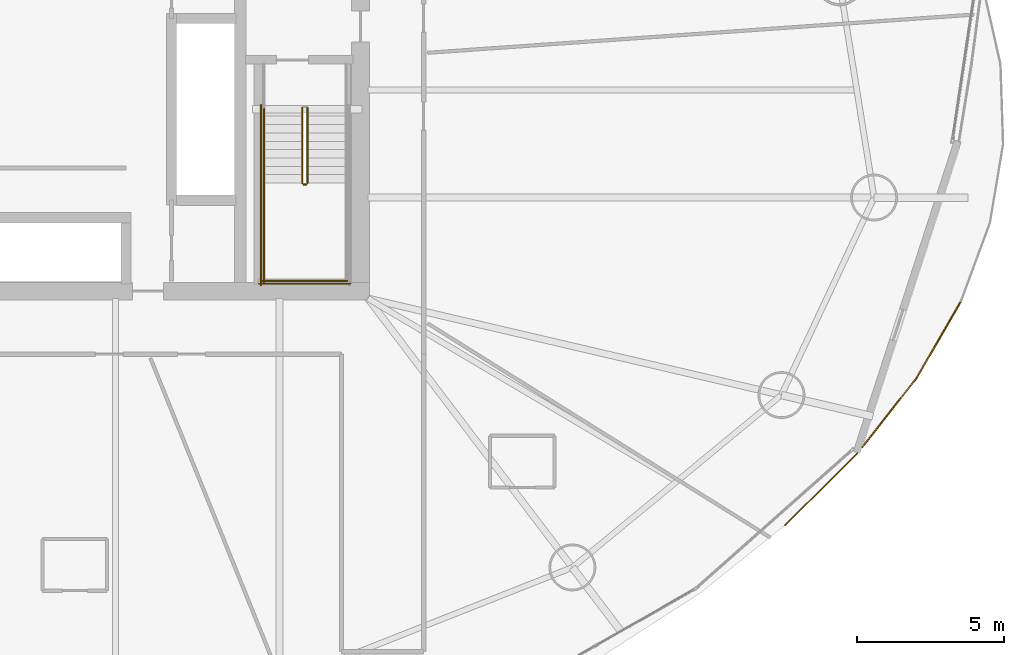
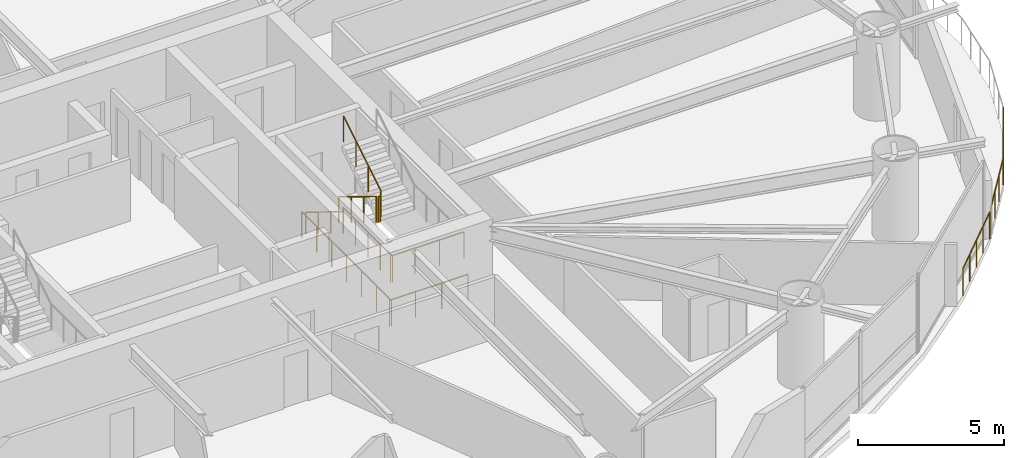
# One storey, part 24 of 26: 11 railings.
"""IFC4 building model written with IfcOpenShell, lengths in metres."""

from ifc_helpers import new_model, si_unit, direction, frame, origin, origin_2d, place, context, subcontext, project, spatial, circle, extrude, material, type_object, element, save


model = new_model("IFC4")

# Units and contexts
model_context = context("Model", 3, precision=1e-05, world=origin(), true_north=direction((0.0, 1.0)))
body_context = subcontext(model_context, "Body", "Model", "MODEL_VIEW")
ifc_project = project(units=[si_unit("LENGTHUNIT", "METRE"), si_unit("AREAUNIT", "SQUARE_METRE"), si_unit("VOLUMEUNIT", "CUBIC_METRE"), si_unit("PLANEANGLEUNIT", "RADIAN"), si_unit("MASSUNIT", "GRAM", prefix="KILO")], contexts=[model_context])

# Site, building, storey
site_placement = place(None, origin())
site = spatial("IfcSite", under=ifc_project, at=site_placement, CompositionType="ELEMENT")
building_placement = place(site_placement, origin())
building = spatial("IfcBuilding", under=site, at=building_placement, Name="Bramvorn Convention Spire", CompositionType="ELEMENT")
storey_placement = place(building_placement, frame((0.0, 0.0, 51.89990234375)))
storey = spatial("IfcBuildingStorey", under=building, at=storey_placement, Name="L10", CompositionType="ELEMENT", Elevation=51.89990234375)

# Railings
ifc_material_1 = material(Name="Painted Steel Balustrade & Guardrail", Category="steel")
railing_type_1 = type_object("IfcRailingType", Name="RL-STAIR-GUARD-1100", PredefinedType="GUARDRAIL", material=ifc_material_1)
railing_1_placement = place(storey_placement, frame((47.010009765625, 25.050048828125, 0.175048828125)))
element("IfcRailing", 1, at=railing_1_placement, inside=storey, type_object=railing_type_1, Name="L10 ST2 stair guard 1", PredefinedType="GUARDRAIL", context=body_context, shape_type="SweptSolid", body=[
    extrude(circle(Radius=0.02392578125, at=origin_2d()), frame((0.0, 0.0, 1.076171875), z_axis=(0.0, -0.852173129349, 0.523259933127), x_axis=(1.0, 0.0, 0.0)), (0.0, 0.0, 1.0), 3.009765625),
    extrude(circle(Radius=0.02099609375, at=origin_2d()), origin(), (0.0, 0.0, 1.0), 1.052001953125),
    extrude(circle(Radius=0.02099609375, at=origin_2d()), frame((0.0, -0.85498046875, 0.52490234375)), (0.0, 0.0, 1.0), 1.052001953125),
    extrude(circle(Radius=0.02099609375, at=origin_2d()), frame((0.0, -1.7099609375, 1.050048828125)), (0.0, 0.0, 1.0), 1.052001953125),
    extrude(circle(Radius=0.02099609375, at=origin_2d()), frame((0.0, -2.56494140625, 1.574951171875)), (0.0, 0.0, 1.0), 1.052001953125),
])
railing_2_placement = place(storey_placement, frame((47.06005859375, 22.43505859375, 1.75)))
element("IfcRailing", 2, at=railing_2_placement, inside=storey, type_object=railing_type_1, Name="L10 ST2 stair guard 2", PredefinedType="GUARDRAIL", context=body_context, shape_type="SweptSolid", body=[
    extrude(circle(Radius=0.02392578125, at=origin_2d()), frame((0.0, 0.0, 1.076171875), z_axis=(1.0, 0.0, 0.0), x_axis=(0.0, 1.0, 0.0)), (0.0, 0.0, 1.0), 0.079833984375),
    extrude(circle(Radius=0.02099609375, at=origin_2d()), origin(), (0.0, 0.0, 1.0), 1.052001953125),
    extrude(circle(Radius=0.02099609375, at=origin_2d()), frame((0.079833984375, 0.0, 0.0)), (0.0, 0.0, 1.0), 1.052001953125),
])
railing_3_placement = place(storey_placement, frame((45.699951171875, 22.485107421875, 1.75)))
element("IfcRailing", 3, at=railing_3_placement, inside=storey, type_object=railing_type_1, Name="L10 ST2 stair guard 3", PredefinedType="GUARDRAIL", context=body_context, shape_type="SweptSolid", body=[
    extrude(circle(Radius=0.02392578125, at=origin_2d()), frame((0.0, 0.0, 1.076171875), z_axis=(0.0, -1.0, 0.0), x_axis=(1.0, 0.0, 0.0)), (0.0, 0.0, 1.0), 3.385009765625),
    extrude(circle(Radius=0.02099609375, at=origin_2d()), origin(), (0.0, 0.0, 1.0), 1.052001953125),
    extrude(circle(Radius=0.02099609375, at=origin_2d()), frame((0.0, -0.84619140625, 0.0)), (0.0, 0.0, 1.0), 1.052001953125),
    extrude(circle(Radius=0.02099609375, at=origin_2d()), frame((0.0, -1.6923828125, 0.0)), (0.0, 0.0, 1.0), 1.052001953125),
    extrude(circle(Radius=0.02099609375, at=origin_2d()), frame((0.0, -2.538818359375, 0.0)), (0.0, 0.0, 1.0), 1.052001953125),
    extrude(circle(Radius=0.02099609375, at=origin_2d()), frame((0.0, -3.385009765625, 0.0)), (0.0, 0.0, 1.0), 1.052001953125),
])
railing_4_placement = place(storey_placement, frame((45.64990234375, 19.14990234375, 1.75)))
element("IfcRailing", 4, at=railing_4_placement, inside=storey, type_object=railing_type_1, Name="L10 ST2 stair guard 5", PredefinedType="GUARDRAIL", context=body_context, shape_type="SweptSolid", body=[
    extrude(circle(Radius=0.02392578125, at=origin_2d()), frame((0.0, 0.0, 1.076171875), z_axis=(1.0, 0.0, 0.0), x_axis=(0.0, 1.0, 0.0)), (0.0, 0.0, 1.0), 2.900146484375),
    extrude(circle(Radius=0.02099609375, at=origin_2d()), origin(), (0.0, 0.0, 1.0), 1.052001953125),
    extrude(circle(Radius=0.02099609375, at=origin_2d()), frame((0.966796875, 0.0, 0.0)), (0.0, 0.0, 1.0), 1.052001953125),
    extrude(circle(Radius=0.02099609375, at=origin_2d()), frame((1.933349609375, 0.0, 0.0)), (0.0, 0.0, 1.0), 1.052001953125),
    extrude(circle(Radius=0.02099609375, at=origin_2d()), frame((2.900146484375, 0.0, 0.0)), (0.0, 0.0, 1.0), 1.052001953125),
])
railing_5_placement = place(storey_placement, frame((47.18994140625, 22.485107421875, 1.925048828125)))
element("IfcRailing", 5, at=railing_5_placement, inside=storey, type_object=railing_type_1, Name="L10 ST2 stair guard 6", PredefinedType="GUARDRAIL", context=body_context, shape_type="SweptSolid", body=[
    extrude(circle(Radius=0.02392578125, at=origin_2d()), frame((0.0, 0.0, 1.076171875), z_axis=(0.0, 0.852173129349, 0.523259933127), x_axis=(-1.0, 0.0, 0.0)), (0.0, 0.0, 1.0), 3.009765625),
    extrude(circle(Radius=0.02099609375, at=origin_2d()), origin(), (0.0, 0.0, 1.0), 1.052001953125),
    extrude(circle(Radius=0.02099609375, at=origin_2d()), frame((0.0, 0.85498046875, 0.52490234375)), (0.0, 0.0, 1.0), 1.052001953125),
    extrude(circle(Radius=0.02099609375, at=origin_2d()), frame((0.0, 1.7099609375, 1.050048828125)), (0.0, 0.0, 1.0), 1.052001953125),
    extrude(circle(Radius=0.02099609375, at=origin_2d()), frame((0.0, 2.56494140625, 1.574951171875)), (0.0, 0.0, 1.0), 1.052001953125),
])
railing_6_placement = place(storey_placement, frame((45.60009765625, 25.14990234375, 0.0)))
element("IfcRailing", 6, at=railing_6_placement, inside=storey, type_object=railing_type_1, Name="L10 ST2 stair guard 10", PredefinedType="GUARDRAIL", context=body_context, shape_type="SweptSolid", body=[
    extrude(circle(Radius=0.02392578125, at=origin_2d()), frame((0.0, 0.0, 1.076171875), z_axis=(0.0, -1.0, 0.0), x_axis=(1.0, 0.0, 0.0)), (0.0, 0.0, 1.0), 6.14990234375),
    extrude(circle(Radius=0.02099609375, at=origin_2d()), origin(), (0.0, 0.0, 1.0), 1.052001953125),
    extrude(circle(Radius=0.02099609375, at=origin_2d()), frame((0.0, -1.02490234375, 0.0)), (0.0, 0.0, 1.0), 1.052001953125),
    extrude(circle(Radius=0.02099609375, at=origin_2d()), frame((0.0, -2.050048828125, 0.0)), (0.0, 0.0, 1.0), 1.052001953125),
    extrude(circle(Radius=0.02099609375, at=origin_2d()), frame((0.0, -3.074951171875, 0.0)), (0.0, 0.0, 1.0), 1.052001953125),
    extrude(circle(Radius=0.02099609375, at=origin_2d()), frame((0.0, -4.099853515625, 0.0)), (0.0, 0.0, 1.0), 1.052001953125),
    extrude(circle(Radius=0.02099609375, at=origin_2d()), frame((0.0, -5.125, 0.0)), (0.0, 0.0, 1.0), 1.052001953125),
    extrude(circle(Radius=0.02099609375, at=origin_2d()), frame((0.0, -6.14990234375, 0.0)), (0.0, 0.0, 1.0), 1.052001953125),
])
railing_7_placement = place(storey_placement, frame((45.550048828125, 19.050048828125, 0.0)))
element("IfcRailing", 7, at=railing_7_placement, inside=storey, type_object=railing_type_1, Name="L10 ST2 stair guard 12", PredefinedType="GUARDRAIL", context=body_context, shape_type="SweptSolid", body=[
    extrude(circle(Radius=0.02392578125, at=origin_2d()), frame((0.0, 0.0, 1.076171875), z_axis=(1.0, 0.0, 0.0), x_axis=(0.0, 1.0, 0.0)), (0.0, 0.0, 1.0), 3.099853515625),
    extrude(circle(Radius=0.02099609375, at=origin_2d()), origin(), (0.0, 0.0, 1.0), 1.052001953125),
    extrude(circle(Radius=0.02099609375, at=origin_2d()), frame((1.033203125, 0.0, 0.0)), (0.0, 0.0, 1.0), 1.052001953125),
    extrude(circle(Radius=0.02099609375, at=origin_2d()), frame((2.066650390625, 0.0, 0.0)), (0.0, 0.0, 1.0), 1.052001953125),
    extrude(circle(Radius=0.02099609375, at=origin_2d()), frame((3.099853515625, 0.0, 0.0)), (0.0, 0.0, 1.0), 1.052001953125),
])
ifc_material_2 = material(Name="Brushed Bronze Tubular Handrail", Category="aluminium")
railing_type_2 = type_object("IfcRailingType", Name="RL-STAIR-HR-920", PredefinedType="HANDRAIL", material=ifc_material_2)
railing_8_placement = place(storey_placement, frame((45.699951171875, 25.050048828125, 0.175048828125)))
element("IfcRailing", 8, at=railing_8_placement, inside=storey, type_object=railing_type_2, Name="L10 ST2 stair handrail 1", PredefinedType="HANDRAIL", context=body_context, shape_type="SweptSolid", body=[
    extrude(circle(Radius=0.02392578125, at=origin_2d()), frame((0.0, 0.0, 0.89599609375), z_axis=(0.0, -0.852173129349, 0.523259933127), x_axis=(1.0, 0.0, 0.0)), (0.0, 0.0, 1.0), 3.009765625),
    extrude(circle(Radius=0.02099609375, at=origin_2d()), origin(), (0.0, 0.0, 1.0), 0.871826171875),
    extrude(circle(Radius=0.02099609375, at=origin_2d()), frame((0.0, -0.85498046875, 0.52490234375)), (0.0, 0.0, 1.0), 0.871826171875),
    extrude(circle(Radius=0.02099609375, at=origin_2d()), frame((0.0, -1.7099609375, 1.050048828125)), (0.0, 0.0, 1.0), 0.871826171875),
    extrude(circle(Radius=0.02099609375, at=origin_2d()), frame((0.0, -2.56494140625, 1.574951171875)), (0.0, 0.0, 1.0), 0.871826171875),
])
ifc_material_3 = material(Name="Bronze Cap-Rail & Laminated Structural Glass Balustrade", Category="glass")
railing_type_3 = type_object("IfcRailingType", Name="RL-TERR-GUARD-1150", PredefinedType="GUARDRAIL", material=ifc_material_3)
railing_9_placement = place(storey_placement, frame((66.12158203125, 13.479736328125, 0.0)))
element("IfcRailing", 9, at=railing_9_placement, inside=storey, type_object=railing_type_3, Name="L10 Sky Garden perimeter safety guardrail 3", PredefinedType="GUARDRAIL", context=body_context, shape_type="SweptSolid", body=[
    extrude(circle(Radius=0.02392578125, at=origin_2d()), frame((0.0, 0.0, 1.1259765625), z_axis=(0.618196222737, 0.786023810195, 0.0), x_axis=(-0.786023810195, 0.618196222737, 0.0)), (0.0, 0.0, 1.0), 2.992431640625),
    extrude(circle(Radius=0.02099609375, at=origin_2d()), origin(), (0.0, 0.0, 1.0), 1.101806640625),
    extrude(circle(Radius=0.02099609375, at=origin_2d()), frame((0.61669921875, 0.783935546875, 0.0)), (0.0, 0.0, 1.0), 1.101806640625),
    extrude(circle(Radius=0.02099609375, at=origin_2d()), frame((1.233154296875, 1.568115234375, 0.0)), (0.0, 0.0, 1.0), 1.101806640625),
    extrude(circle(Radius=0.02099609375, at=origin_2d()), frame((1.849853515625, 2.35205078125, 0.0)), (0.0, 0.0, 1.0), 1.101806640625),
])
railing_10_placement = place(storey_placement, frame((67.971435546875, 15.831787109375, 0.0)))
element("IfcRailing", 10, at=railing_10_placement, inside=storey, type_object=railing_type_3, Name="L10 Sky Garden perimeter safety guardrail 4", PredefinedType="GUARDRAIL", context=body_context, shape_type="SweptSolid", body=[
    extrude(circle(Radius=0.02392578125, at=origin_2d()), frame((0.0, 0.0, 1.1259765625), z_axis=(0.500250721061, 0.865880601514, 0.0), x_axis=(-0.865880601514, 0.500250721061, 0.0)), (0.0, 0.0, 1.0), 3.02685546875),
    extrude(circle(Radius=0.02099609375, at=origin_2d()), origin(), (0.0, 0.0, 1.0), 1.101806640625),
    extrude(circle(Radius=0.02099609375, at=origin_2d()), frame((0.504638671875, 0.87353515625, 0.0)), (0.0, 0.0, 1.0), 1.101806640625),
    extrude(circle(Radius=0.02099609375, at=origin_2d()), frame((1.009521484375, 1.747314453125, 0.0)), (0.0, 0.0, 1.0), 1.101806640625),
    extrude(circle(Radius=0.02099609375, at=origin_2d()), frame((1.51416015625, 2.620849609375, 0.0)), (0.0, 0.0, 1.0), 1.101806640625),
])
railing_11_placement = place(storey_placement, frame((65.95751953125, 13.271240234375, 0.0)))
element("IfcRailing", 11, at=railing_11_placement, inside=storey, type_object=railing_type_3, Name="L10 Sky Garden junction edge safety guardrail 9", PredefinedType="GUARDRAIL", context=body_context, shape_type="SweptSolid", body=[
    extrude(circle(Radius=0.02392578125, at=origin_2d()), frame((0.0, 0.0, 1.1259765625), z_axis=(-0.709058563174, -0.705149596887, 0.0), x_axis=(0.705149596887, -0.709058563174, 0.0)), (0.0, 0.0, 1.0), 3.49755859375),
    extrude(circle(Radius=0.02099609375, at=origin_2d()), origin(), (0.0, 0.0, 1.0), 1.101806640625),
    extrude(circle(Radius=0.02099609375, at=origin_2d()), frame((-0.6201171875, -0.61669921875, 0.0)), (0.0, 0.0, 1.0), 1.101806640625),
    extrude(circle(Radius=0.02099609375, at=origin_2d()), frame((-1.239990234375, -1.233154296875, 0.0)), (0.0, 0.0, 1.0), 1.101806640625),
    extrude(circle(Radius=0.02099609375, at=origin_2d()), frame((-1.85986328125, -1.849609375, 0.0)), (0.0, 0.0, 1.0), 1.101806640625),
    extrude(circle(Radius=0.02099609375, at=origin_2d()), frame((-2.47998046875, -2.46630859375, 0.0)), (0.0, 0.0, 1.0), 1.101806640625),
])

save(model, "model.ifc")
